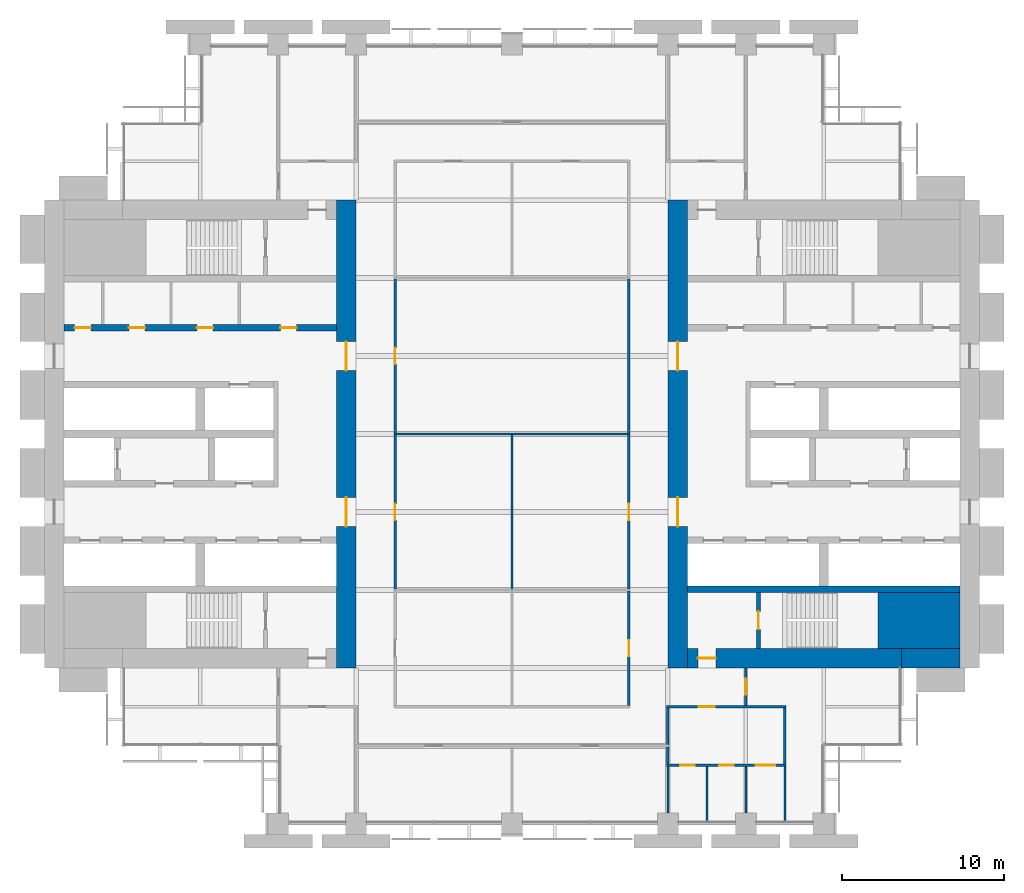
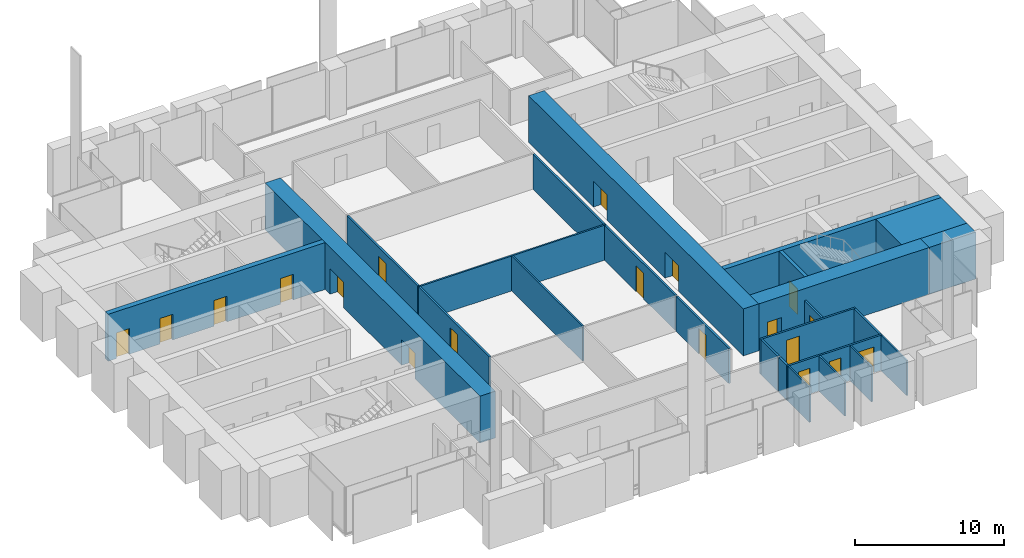
# One storey, part 10 of 14: 25 walls, 19 doors, 19 openings.
"""IFC4 building model written with IfcOpenShell, lengths in metres."""

from ifc_helpers import new_model, si_unit, direction, frame, frame_2d, origin, place, context, subcontext, project, spatial, rectangle, extrude, material, layer, layer_set, type_object, element, fill, save


model = new_model("IFC4")

# Units and contexts
model_context = context("Model", 3, precision=1e-05, world=origin(), true_north=direction((0.0, 1.0)))
body_context = subcontext(model_context, "Body", "Model", "MODEL_VIEW")
ifc_project = project(units=[si_unit("LENGTHUNIT", "METRE"), si_unit("AREAUNIT", "SQUARE_METRE"), si_unit("VOLUMEUNIT", "CUBIC_METRE"), si_unit("PLANEANGLEUNIT", "RADIAN"), si_unit("MASSUNIT", "GRAM", prefix="KILO")], contexts=[model_context])

# Site, building, storey
site_placement = place(None, origin())
site = spatial("IfcSite", under=ifc_project, at=site_placement, CompositionType="ELEMENT")
building_placement = place(site_placement, origin())
building = spatial("IfcBuilding", under=site, at=building_placement, Name="Baori Bourse Tower", CompositionType="ELEMENT")
storey_placement = place(building_placement, frame((0.0, 0.0, 39.0)))
storey = spatial("IfcBuildingStorey", under=building, at=storey_placement, Name="L07", CompositionType="ELEMENT", Elevation=39.0)

# Wall
ifc_material_1 = material(Name="Concrete f'c 70 MPa", Category="concrete")
wall_type_1 = type_object("IfcWallType", Name="Core corner block f'c 70", PredefinedType="SHEAR", material=ifc_material_1)
wall_1_placement = place(storey_placement, frame((51.35009765625, 12.52490234375, 0.0), z_axis=(0.0, 0.0, 1.0), x_axis=(1.0, 0.0, 0.0)))
element("IfcWall", 1, at=wall_1_placement, inside=storey, type_object=wall_type_1, Name="Core wall E05", PredefinedType="SHEAR", context=body_context, shape_type="SweptSolid", body=[
    extrude(rectangle(XDim=5.0498046875, YDim=3.449951171875, at=frame_2d((2.52490234375, 0.0))), origin(), (0.0, 0.0, 1.0), 3.840087890625),
])

# Wall, openings, doors
ifc_material_2 = material(Name="Concrete f'c 70 MPa", Category="concrete")
ifc_layer_1 = layer(ifc_material_2, 1.199951171875)
ifc_layer_set_1 = layer_set([ifc_layer_1], Name="Core wall 1200 f'c 70")
wall_type_2 = type_object("IfcWallType", Name="Core wall 1200 f'c 70", PredefinedType="SHEAR", material=ifc_layer_set_1)
wall_2_placement = place(storey_placement, frame((18.60009765625, 38.39990234375, 0.0), z_axis=(0.0, 0.0, 1.0), x_axis=(0.0, -1.0, 0.0)))
wall_2 = element("IfcWall", 2, at=wall_2_placement, inside=storey, type_object=wall_type_2, Name="Core wall W04", PredefinedType="SHEAR", context=body_context, shape_type="SweptSolid", body=[
    extrude(rectangle(XDim=28.7998046875, YDim=1.199951171875, at=frame_2d((14.39990234375, 0.0))), origin(), (0.0, 0.0, 1.0), 3.840087890625),
])
opening_1_placement = place(wall_2_placement, frame((18.300048828125, 0.0, 0.0)))
opening_1 = element("IfcOpeningElement", 3, at=opening_1_placement, cuts=wall_2, Name="Opening L07-D107", PredefinedType="OPENING", context=body_context, shape_type="SweptSolid", body=[
    extrude(rectangle(XDim=1.800048828125, YDim=2.10009765625, at=frame_2d((0.89990234375, 1.050048828125))), frame((0.0, 0.60986328125, 0.0), z_axis=(0.0, -1.0, 0.0), x_axis=(1.0, 0.0, 0.0)), (0.0, 0.0, 1.0), 1.219970703125),
])
opening_2_placement = place(wall_2_placement, frame((8.699951171875, 0.0, 0.0)))
opening_2 = element("IfcOpeningElement", 4, at=opening_2_placement, cuts=wall_2, Name="Opening L07-D108", PredefinedType="OPENING", context=body_context, shape_type="SweptSolid", body=[
    extrude(rectangle(XDim=1.800048828125, YDim=2.10009765625, at=frame_2d((0.89990234375, 1.050048828125))), frame((0.0, 0.60986328125, 0.0), z_axis=(0.0, -1.0, 0.0), x_axis=(1.0, 0.0, 0.0)), (0.0, 0.0, 1.0), 1.219970703125),
])
ifc_material_3 = material(Name="Painted steel door", Category="steel")
door_type_1 = type_object("IfcDoorType", Name="Core lobby door 1800", OperationType="DOUBLE_DOOR_SINGLE_SWING", PredefinedType="DOOR", material=ifc_material_3)
door_1_placement = place(opening_1_placement, origin())
door_1 = element("IfcDoor", 5, at=door_1_placement, inside=storey, type_object=door_type_1, Name="Lobby door W L07", OperationType="DOUBLE_DOOR_SINGLE_SWING", OverallHeight=2.10009765625, OverallWidth=1.800048828125, PredefinedType="DOOR", context=body_context, shape_type="SweptSolid", body=[
    extrude(rectangle(XDim=1.800048828125, YDim=2.10009765625, at=frame_2d((0.89990234375, 1.050048828125))), frame((0.0, 0.02490234375, 0.0), z_axis=(0.0, -1.0, 0.0), x_axis=(1.0, 0.0, 0.0)), (0.0, 0.0, 1.0), 0.050048828125),
])
fill(opening_1, door_1)
door_2_placement = place(opening_2_placement, origin())
door_2 = element("IfcDoor", 6, at=door_2_placement, inside=storey, type_object=door_type_1, Name="Lobby door W L07", OperationType="DOUBLE_DOOR_SINGLE_SWING", OverallHeight=2.10009765625, OverallWidth=1.800048828125, PredefinedType="DOOR", context=body_context, shape_type="SweptSolid", body=[
    extrude(rectangle(XDim=1.800048828125, YDim=2.10009765625, at=frame_2d((0.89990234375, 1.050048828125))), frame((0.0, 0.02490234375, 0.0), z_axis=(0.0, -1.0, 0.0), x_axis=(1.0, 0.0, 0.0)), (0.0, 0.0, 1.0), 0.050048828125),
])
fill(opening_2, door_2)

# Wall
wall_3_placement = place(storey_placement, frame((56.39990234375, 10.199951171875, 0.0), z_axis=(0.0, 0.0, 1.0), x_axis=(-1.0, 0.0, 0.0)))
element("IfcWall", 7, at=wall_3_placement, inside=storey, type_object=wall_type_2, Name="Core wall E02", PredefinedType="SHEAR", context=body_context, shape_type="SweptSolid", body=[
    extrude(rectangle(XDim=3.599853515625, YDim=1.199951171875, at=frame_2d((1.7998046875, 0.0))), origin(), (0.0, 0.0, 1.0), 3.840087890625),
])

# Wall, opening, door
wall_4_placement = place(storey_placement, frame((52.800048828125, 10.199951171875, 0.0), z_axis=(0.0, 0.0, 1.0), x_axis=(-1.0, 0.0, 0.0)))
wall_4 = element("IfcWall", 8, at=wall_4_placement, inside=storey, type_object=wall_type_2, Name="Core wall E03", PredefinedType="SHEAR", context=body_context, shape_type="SweptSolid", body=[
    extrude(rectangle(XDim=13.199951171875, YDim=1.199951171875, at=frame_2d((6.60009765625, 0.0))), origin(), (0.0, 0.0, 1.0), 3.840087890625),
])
opening_3_placement = place(wall_4_placement, frame((11.449951171875, 0.0, 0.0)))
opening_3 = element("IfcOpeningElement", 9, at=opening_3_placement, cuts=wall_4, Name="Opening L07-D202", PredefinedType="OPENING", context=body_context, shape_type="SweptSolid", body=[
    extrude(rectangle(XDim=1.10009765625, YDim=2.10009765625, at=frame_2d((0.550048828125, 1.050048828125))), frame((0.0, 0.60986328125, 0.0), z_axis=(0.0, -1.0, 0.0), x_axis=(1.0, 0.0, 0.0)), (0.0, 0.0, 1.0), 1.219970703125),
])
ifc_material_4 = material(Name="Painted steel door", Category="steel")
door_type_2 = type_object("IfcDoorType", Name="Stair door 1100", OperationType="SINGLE_SWING_LEFT", PredefinedType="DOOR", material=ifc_material_4)
door_3_placement = place(opening_3_placement, origin())
door_3 = element("IfcDoor", 10, at=door_3_placement, inside=storey, type_object=door_type_2, Name="Stair vestibule door A E L07", OperationType="SINGLE_SWING_LEFT", OverallHeight=2.10009765625, OverallWidth=1.10009765625, PredefinedType="DOOR", context=body_context, shape_type="SweptSolid", body=[
    extrude(rectangle(XDim=1.10009765625, YDim=2.10009765625, at=frame_2d((0.550048828125, 1.050048828125))), frame((0.0, 0.02490234375, 0.0), z_axis=(0.0, -1.0, 0.0), x_axis=(1.0, 0.0, 0.0)), (0.0, 0.0, 1.0), 0.050048828125),
])
fill(opening_3, door_3)

# Wall, openings, doors
wall_5_placement = place(storey_placement, frame((39.0, 9.60009765625, 0.0), z_axis=(0.0, 0.0, 1.0), x_axis=(0.0, 1.0, 0.0)))
wall_5 = element("IfcWall", 11, at=wall_5_placement, inside=storey, type_object=wall_type_2, Name="Core wall E04", PredefinedType="SHEAR", context=body_context, shape_type="SweptSolid", body=[
    extrude(rectangle(XDim=28.7998046875, YDim=1.199951171875, at=frame_2d((14.39990234375, 0.0))), origin(), (0.0, 0.0, 1.0), 3.840087890625),
])
opening_4_placement = place(wall_5_placement, frame((8.699951171875, 0.0, 0.0)))
opening_4 = element("IfcOpeningElement", 12, at=opening_4_placement, cuts=wall_5, Name="Opening L07-D207", PredefinedType="OPENING", context=body_context, shape_type="SweptSolid", body=[
    extrude(rectangle(XDim=1.800048828125, YDim=2.10009765625, at=frame_2d((0.89990234375, 1.050048828125))), frame((0.0, 0.60986328125, 0.0), z_axis=(0.0, -1.0, 0.0), x_axis=(1.0, 0.0, 0.0)), (0.0, 0.0, 1.0), 1.219970703125),
])
opening_5_placement = place(wall_5_placement, frame((18.300048828125, 0.0, 0.0)))
opening_5 = element("IfcOpeningElement", 13, at=opening_5_placement, cuts=wall_5, Name="Opening L07-D208", PredefinedType="OPENING", context=body_context, shape_type="SweptSolid", body=[
    extrude(rectangle(XDim=1.800048828125, YDim=2.10009765625, at=frame_2d((0.89990234375, 1.050048828125))), frame((0.0, 0.60986328125, 0.0), z_axis=(0.0, -1.0, 0.0), x_axis=(1.0, 0.0, 0.0)), (0.0, 0.0, 1.0), 1.219970703125),
])
door_4_placement = place(opening_4_placement, origin())
door_4 = element("IfcDoor", 14, at=door_4_placement, inside=storey, type_object=door_type_1, Name="Lobby door E L07", OperationType="DOUBLE_DOOR_SINGLE_SWING", OverallHeight=2.10009765625, OverallWidth=1.800048828125, PredefinedType="DOOR", context=body_context, shape_type="SweptSolid", body=[
    extrude(rectangle(XDim=1.800048828125, YDim=2.10009765625, at=frame_2d((0.89990234375, 1.050048828125))), frame((0.0, 0.02490234375, 0.0), z_axis=(0.0, -1.0, 0.0), x_axis=(1.0, 0.0, 0.0)), (0.0, 0.0, 1.0), 0.050048828125),
])
fill(opening_4, door_4)
door_5_placement = place(opening_5_placement, origin())
door_5 = element("IfcDoor", 15, at=door_5_placement, inside=storey, type_object=door_type_1, Name="Lobby door E L07", OperationType="DOUBLE_DOOR_SINGLE_SWING", OverallHeight=2.10009765625, OverallWidth=1.800048828125, PredefinedType="DOOR", context=body_context, shape_type="SweptSolid", body=[
    extrude(rectangle(XDim=1.800048828125, YDim=2.10009765625, at=frame_2d((0.89990234375, 1.050048828125))), frame((0.0, 0.02490234375, 0.0), z_axis=(0.0, -1.0, 0.0), x_axis=(1.0, 0.0, 0.0)), (0.0, 0.0, 1.0), 0.050048828125),
])
fill(opening_5, door_5)

ifc_material_5 = material(Name="Gypsum board partition")
ifc_layer_2 = layer(ifc_material_5, 0.14990234375)
ifc_layer_set_2 = layer_set([ifc_layer_2], Name="Corridor partition 150")
wall_type_3 = type_object("IfcWallType", Name="Corridor partition 150", PredefinedType="PARTITIONING", material=ifc_layer_set_2)
wall_6_placement = place(storey_placement, frame((38.324951171875, 3.60009765625, 0.0), z_axis=(0.0, 0.0, 1.0), x_axis=(1.0, 0.0, 0.0)))
wall_6 = element("IfcWall", 16, at=wall_6_placement, inside=storey, type_object=wall_type_3, Name="Partition", PredefinedType="PARTITIONING", context=body_context, shape_type="SweptSolid", body=[
    extrude(rectangle(XDim=7.35009765625, YDim=0.14990234375, at=frame_2d((3.675048828125, 0.0))), origin(), (0.0, 0.0, 1.0), 2.86962890625),
])
opening_6_placement = place(wall_6_placement, frame((0.824951171875, 0.0, 0.0)))
opening_6 = element("IfcOpeningElement", 17, at=opening_6_placement, cuts=wall_6, Name="Opening L07-D01", PredefinedType="OPENING", context=body_context, shape_type="SweptSolid", body=[
    extrude(rectangle(XDim=0.89990234375, YDim=2.10009765625, at=frame_2d((0.449951171875, 1.050048828125))), frame((0.0, 0.0849609375, 0.0), z_axis=(0.0, -1.0, 0.0), x_axis=(1.0, 0.0, 0.0)), (0.0, 0.0, 1.0), 0.169921875),
])
opening_7_placement = place(wall_6_placement, frame((3.22509765625, 0.0, 0.0)))
opening_7 = element("IfcOpeningElement", 18, at=opening_7_placement, cuts=wall_6, Name="Opening L07-D02", PredefinedType="OPENING", context=body_context, shape_type="SweptSolid", body=[
    extrude(rectangle(XDim=0.89990234375, YDim=2.10009765625, at=frame_2d((0.449951171875, 1.050048828125))), frame((0.0, 0.0849609375, 0.0), z_axis=(0.0, -1.0, 0.0), x_axis=(1.0, 0.0, 0.0)), (0.0, 0.0, 1.0), 0.169921875),
])
opening_8_placement = place(wall_6_placement, frame((5.47509765625, 0.0, 0.0)))
opening_8 = element("IfcOpeningElement", 19, at=opening_8_placement, cuts=wall_6, Name="Opening L07-D03", PredefinedType="OPENING", context=body_context, shape_type="SweptSolid", body=[
    extrude(rectangle(XDim=1.199951171875, YDim=2.10009765625, at=frame_2d((0.60009765625, 1.050048828125))), frame((0.0, 0.0849609375, 0.0), z_axis=(0.0, -1.0, 0.0), x_axis=(1.0, 0.0, 0.0)), (0.0, 0.0, 1.0), 0.169921875),
])
ifc_material_6 = material(Name="Timber door leaf", Category="wood")
door_type_3 = type_object("IfcDoorType", Name="Door 1200 x 2100", OperationType="SINGLE_SWING_LEFT", PredefinedType="DOOR", material=ifc_material_6)
door_6_placement = place(opening_8_placement, origin())
door_6 = element("IfcDoor", 20, at=door_6_placement, inside=storey, type_object=door_type_3, Name="Door", OperationType="SINGLE_SWING_RIGHT", OverallHeight=2.10009765625, OverallWidth=1.199951171875, PredefinedType="DOOR", context=body_context, shape_type="SweptSolid", body=[
    extrude(rectangle(XDim=1.199951171875, YDim=2.10009765625, at=frame_2d((0.60009765625, 1.050048828125))), frame((0.0, 0.02490234375, 0.0), z_axis=(0.0, -1.0, 0.0), x_axis=(1.0, 0.0, 0.0)), (0.0, 0.0, 1.0), 0.050048828125),
])
fill(opening_8, door_6)
ifc_material_7 = material(Name="Timber door leaf", Category="wood")
door_type_4 = type_object("IfcDoorType", Name="Door 900 x 2100", OperationType="SINGLE_SWING_LEFT", PredefinedType="DOOR", material=ifc_material_7)
door_7_placement = place(opening_6_placement, origin())
door_7 = element("IfcDoor", 21, at=door_7_placement, inside=storey, type_object=door_type_4, Name="Door", OperationType="SINGLE_SWING_LEFT", OverallHeight=2.10009765625, OverallWidth=0.89990234375, PredefinedType="DOOR", context=body_context, shape_type="SweptSolid", body=[
    extrude(rectangle(XDim=0.89990234375, YDim=2.10009765625, at=frame_2d((0.449951171875, 1.050048828125))), frame((0.0, 0.02490234375, 0.0), z_axis=(0.0, -1.0, 0.0), x_axis=(1.0, 0.0, 0.0)), (0.0, 0.0, 1.0), 0.050048828125),
])
fill(opening_6, door_7)
door_8_placement = place(opening_7_placement, origin())
door_8 = element("IfcDoor", 22, at=door_8_placement, inside=storey, type_object=door_type_4, Name="Door", OperationType="SINGLE_SWING_LEFT", OverallHeight=2.10009765625, OverallWidth=0.89990234375, PredefinedType="DOOR", context=body_context, shape_type="SweptSolid", body=[
    extrude(rectangle(XDim=0.89990234375, YDim=2.10009765625, at=frame_2d((0.449951171875, 1.050048828125))), frame((0.0, 0.02490234375, 0.0), z_axis=(0.0, -1.0, 0.0), x_axis=(1.0, 0.0, 0.0)), (0.0, 0.0, 1.0), 0.050048828125),
])
fill(opening_7, door_8)

# Wall, opening, door
wall_7_placement = place(storey_placement, frame((38.324951171875, 7.199951171875, 0.0), z_axis=(0.0, 0.0, 1.0), x_axis=(1.0, 0.0, 0.0)))
wall_7 = element("IfcWall", 23, at=wall_7_placement, inside=storey, type_object=wall_type_3, Name="Partition", PredefinedType="PARTITIONING", context=body_context, shape_type="SweptSolid", body=[
    extrude(rectangle(XDim=7.35009765625, YDim=0.14990234375, at=frame_2d((3.675048828125, 0.0))), origin(), (0.0, 0.0, 1.0), 2.86962890625),
])
opening_9_placement = place(wall_7_placement, frame((1.97509765625, 0.0, 0.0)))
opening_9 = element("IfcOpeningElement", 24, at=opening_9_placement, cuts=wall_7, Name="Opening L07-D07", PredefinedType="OPENING", context=body_context, shape_type="SweptSolid", body=[
    extrude(rectangle(XDim=1.0, YDim=2.10009765625, at=frame_2d((0.5, 1.050048828125))), frame((0.0, 0.0849609375, 0.0), z_axis=(0.0, -1.0, 0.0), x_axis=(1.0, 0.0, 0.0)), (0.0, 0.0, 1.0), 0.169921875),
])
ifc_material_8 = material(Name="Timber door leaf", Category="wood")
door_type_5 = type_object("IfcDoorType", Name="Door 1000 x 2100", OperationType="SINGLE_SWING_LEFT", PredefinedType="DOOR", material=ifc_material_8)
door_9_placement = place(opening_9_placement, origin())
door_9 = element("IfcDoor", 25, at=door_9_placement, inside=storey, type_object=door_type_5, Name="Door", OperationType="SINGLE_SWING_RIGHT", OverallHeight=2.10009765625, OverallWidth=1.0, PredefinedType="DOOR", context=body_context, shape_type="SweptSolid", body=[
    extrude(rectangle(XDim=1.0, YDim=2.10009765625, at=frame_2d((0.5, 1.050048828125))), frame((0.0, 0.02490234375, 0.0), z_axis=(0.0, -1.0, 0.0), x_axis=(1.0, 0.0, 0.0)), (0.0, 0.0, 1.0), 0.050048828125),
])
fill(opening_9, door_9)

wall_8_placement = place(storey_placement, frame((21.60009765625, 14.46240234375, 0.0), z_axis=(0.0, 0.0, 1.0), x_axis=(0.0, 1.0, 0.0)))
wall_8 = element("IfcWall", 26, at=wall_8_placement, inside=storey, type_object=wall_type_3, Name="Partition", PredefinedType="PARTITIONING", context=body_context, shape_type="SweptSolid", body=[
    extrude(rectangle(XDim=9.47509765625, YDim=0.14990234375, at=frame_2d((4.737548828125, 0.0))), origin(), (0.0, 0.0, 1.0), 2.86962890625),
])
opening_10_placement = place(wall_8_placement, frame((4.237548828125, 0.0, 0.0)))
opening_10 = element("IfcOpeningElement", 27, at=opening_10_placement, cuts=wall_8, Name="Opening L07-D16", PredefinedType="OPENING", context=body_context, shape_type="SweptSolid", body=[
    extrude(rectangle(XDim=1.0, YDim=2.10009765625, at=frame_2d((0.5, 1.050048828125))), frame((0.0, 0.0849609375, 0.0), z_axis=(0.0, -1.0, 0.0), x_axis=(1.0, 0.0, 0.0)), (0.0, 0.0, 1.0), 0.169921875),
])
door_10_placement = place(opening_10_placement, origin())
door_10 = element("IfcDoor", 28, at=door_10_placement, inside=storey, type_object=door_type_5, Name="Door", OperationType="SINGLE_SWING_LEFT", OverallHeight=2.10009765625, OverallWidth=1.0, PredefinedType="DOOR", context=body_context, shape_type="SweptSolid", body=[
    extrude(rectangle(XDim=1.0, YDim=2.10009765625, at=frame_2d((0.5, 1.050048828125))), frame((0.0, 0.02490234375, 0.0), z_axis=(0.0, -1.0, 0.0), x_axis=(1.0, 0.0, 0.0)), (0.0, 0.0, 1.0), 0.050048828125),
])
fill(opening_10, door_10)

wall_9_placement = place(storey_placement, frame((21.60009765625, 24.0625, 0.0), z_axis=(0.0, 0.0, 1.0), x_axis=(0.0, 1.0, 0.0)))
wall_9 = element("IfcWall", 29, at=wall_9_placement, inside=storey, type_object=wall_type_3, Name="Partition", PredefinedType="PARTITIONING", context=body_context, shape_type="SweptSolid", body=[
    extrude(rectangle(XDim=9.47509765625, YDim=0.14990234375, at=frame_2d((4.737548828125, 0.0))), origin(), (0.0, 0.0, 1.0), 2.86962890625),
])
opening_11_placement = place(wall_9_placement, frame((4.237548828125, 0.0, 0.0)))
opening_11 = element("IfcOpeningElement", 30, at=opening_11_placement, cuts=wall_9, Name="Opening L07-D17", PredefinedType="OPENING", context=body_context, shape_type="SweptSolid", body=[
    extrude(rectangle(XDim=1.0, YDim=2.10009765625, at=frame_2d((0.5, 1.050048828125))), frame((0.0, 0.0849609375, 0.0), z_axis=(0.0, -1.0, 0.0), x_axis=(1.0, 0.0, 0.0)), (0.0, 0.0, 1.0), 0.169921875),
])
door_11_placement = place(opening_11_placement, origin())
door_11 = element("IfcDoor", 31, at=door_11_placement, inside=storey, type_object=door_type_5, Name="Door", OperationType="SINGLE_SWING_LEFT", OverallHeight=2.10009765625, OverallWidth=1.0, PredefinedType="DOOR", context=body_context, shape_type="SweptSolid", body=[
    extrude(rectangle(XDim=1.0, YDim=2.10009765625, at=frame_2d((0.5, 1.050048828125))), frame((0.0, 0.02490234375, 0.0), z_axis=(0.0, -1.0, 0.0), x_axis=(1.0, 0.0, 0.0)), (0.0, 0.0, 1.0), 0.050048828125),
])
fill(opening_11, door_11)

wall_10_placement = place(storey_placement, frame((36.0, 7.27490234375, 0.0), z_axis=(0.0, 0.0, 1.0), x_axis=(0.0, 1.0, 0.0)))
wall_10 = element("IfcWall", 32, at=wall_10_placement, inside=storey, type_object=wall_type_3, Name="Partition", PredefinedType="PARTITIONING", context=body_context, shape_type="SweptSolid", body=[
    extrude(rectangle(XDim=7.0625, YDim=0.14990234375, at=frame_2d((3.53125, 0.0))), origin(), (0.0, 0.0, 1.0), 2.86962890625),
])
opening_12_placement = place(wall_10_placement, frame((3.03125, 0.0, 0.0)))
opening_12 = element("IfcOpeningElement", 33, at=opening_12_placement, cuts=wall_10, Name="Opening L07-D18", PredefinedType="OPENING", context=body_context, shape_type="SweptSolid", body=[
    extrude(rectangle(XDim=1.0, YDim=2.10009765625, at=frame_2d((0.5, 1.050048828125))), frame((0.0, 0.0849609375, 0.0), z_axis=(0.0, -1.0, 0.0), x_axis=(1.0, 0.0, 0.0)), (0.0, 0.0, 1.0), 0.169921875),
])
door_12_placement = place(opening_12_placement, origin())
door_12 = element("IfcDoor", 34, at=door_12_placement, inside=storey, type_object=door_type_5, Name="Door", OperationType="SINGLE_SWING_RIGHT", OverallHeight=2.10009765625, OverallWidth=1.0, PredefinedType="DOOR", context=body_context, shape_type="SweptSolid", body=[
    extrude(rectangle(XDim=1.0, YDim=2.10009765625, at=frame_2d((0.5, 1.050048828125))), frame((0.0, 0.02490234375, 0.0), z_axis=(0.0, -1.0, 0.0), x_axis=(1.0, 0.0, 0.0)), (0.0, 0.0, 1.0), 0.050048828125),
])
fill(opening_12, door_12)

wall_11_placement = place(storey_placement, frame((36.0, 14.46240234375, 0.0), z_axis=(0.0, 0.0, 1.0), x_axis=(0.0, 1.0, 0.0)))
wall_11 = element("IfcWall", 35, at=wall_11_placement, inside=storey, type_object=wall_type_3, Name="Partition", PredefinedType="PARTITIONING", context=body_context, shape_type="SweptSolid", body=[
    extrude(rectangle(XDim=9.47509765625, YDim=0.14990234375, at=frame_2d((4.737548828125, 0.0))), origin(), (0.0, 0.0, 1.0), 2.86962890625),
])
opening_13_placement = place(wall_11_placement, frame((4.237548828125, 0.0, 0.0)))
opening_13 = element("IfcOpeningElement", 36, at=opening_13_placement, cuts=wall_11, Name="Opening L07-D19", PredefinedType="OPENING", context=body_context, shape_type="SweptSolid", body=[
    extrude(rectangle(XDim=1.0, YDim=2.10009765625, at=frame_2d((0.5, 1.050048828125))), frame((0.0, 0.0849609375, 0.0), z_axis=(0.0, -1.0, 0.0), x_axis=(1.0, 0.0, 0.0)), (0.0, 0.0, 1.0), 0.169921875),
])
door_13_placement = place(opening_13_placement, origin())
door_13 = element("IfcDoor", 37, at=door_13_placement, inside=storey, type_object=door_type_5, Name="Door", OperationType="SINGLE_SWING_RIGHT", OverallHeight=2.10009765625, OverallWidth=1.0, PredefinedType="DOOR", context=body_context, shape_type="SweptSolid", body=[
    extrude(rectangle(XDim=1.0, YDim=2.10009765625, at=frame_2d((0.5, 1.050048828125))), frame((0.0, 0.02490234375, 0.0), z_axis=(0.0, -1.0, 0.0), x_axis=(1.0, 0.0, 0.0)), (0.0, 0.0, 1.0), 0.050048828125),
])
fill(opening_13, door_13)

# Walls
wall_12_placement = place(storey_placement, frame((36.0, 24.0625, 0.0), z_axis=(0.0, 0.0, 1.0), x_axis=(0.0, 1.0, 0.0)))
element("IfcWall", 38, at=wall_12_placement, inside=storey, type_object=wall_type_3, Name="Partition", PredefinedType="PARTITIONING", context=body_context, shape_type="SweptSolid", body=[
    extrude(rectangle(XDim=9.47509765625, YDim=0.14990234375, at=frame_2d((4.737548828125, 0.0))), origin(), (0.0, 0.0, 1.0), 2.86962890625),
])
wall_13_placement = place(storey_placement, frame((38.39990234375, 3.675048828125, 0.0), z_axis=(0.0, 0.0, 1.0), x_axis=(0.0, 1.0, 0.0)))
element("IfcWall", 39, at=wall_13_placement, inside=storey, type_object=wall_type_3, Name="Partition", PredefinedType="PARTITIONING", context=body_context, shape_type="SweptSolid", body=[
    extrude(rectangle(XDim=1.050048828125, YDim=0.14990234375, at=frame_2d((0.52490234375, 0.0))), origin(), (0.0, 0.0, 1.0), 2.86962890625),
])
wall_14_placement = place(storey_placement, frame((38.39990234375, 4.875, 0.0), z_axis=(0.0, 0.0, 1.0), x_axis=(0.0, 1.0, 0.0)))
element("IfcWall", 40, at=wall_14_placement, inside=storey, type_object=wall_type_3, Name="Partition", PredefinedType="PARTITIONING", context=body_context, shape_type="SweptSolid", body=[
    extrude(rectangle(XDim=2.25, YDim=0.14990234375, at=frame_2d((1.125, 0.0))), origin(), (0.0, 0.0, 1.0), 2.86962890625),
])

# Wall, opening, door
wall_15_placement = place(storey_placement, frame((43.199951171875, 7.27490234375, 0.0), z_axis=(0.0, 0.0, 1.0), x_axis=(0.0, 1.0, 0.0)))
wall_15 = element("IfcWall", 41, at=wall_15_placement, inside=storey, type_object=wall_type_3, Name="Partition", PredefinedType="PARTITIONING", context=body_context, shape_type="SweptSolid", body=[
    extrude(rectangle(XDim=2.3251953125, YDim=0.14990234375, at=frame_2d((1.16259765625, 0.0))), origin(), (0.0, 0.0, 1.0), 2.86962890625),
])
opening_14_placement = place(wall_15_placement, frame((0.66259765625, 0.0, 0.0)))
opening_14 = element("IfcOpeningElement", 42, at=opening_14_placement, cuts=wall_15, Name="Opening L07-D20", PredefinedType="OPENING", context=body_context, shape_type="SweptSolid", body=[
    extrude(rectangle(XDim=1.0, YDim=2.10009765625, at=frame_2d((0.5, 1.050048828125))), frame((0.0, 0.0849609375, 0.0), z_axis=(0.0, -1.0, 0.0), x_axis=(1.0, 0.0, 0.0)), (0.0, 0.0, 1.0), 0.169921875),
])
door_14_placement = place(opening_14_placement, origin())
door_14 = element("IfcDoor", 43, at=door_14_placement, inside=storey, type_object=door_type_5, Name="Door", OperationType="SINGLE_SWING_LEFT", OverallHeight=2.10009765625, OverallWidth=1.0, PredefinedType="DOOR", context=body_context, shape_type="SweptSolid", body=[
    extrude(rectangle(XDim=1.0, YDim=2.10009765625, at=frame_2d((0.5, 1.050048828125))), frame((0.0, 0.02490234375, 0.0), z_axis=(0.0, -1.0, 0.0), x_axis=(1.0, 0.0, 0.0)), (0.0, 0.0, 1.0), 0.050048828125),
])
fill(opening_14, door_14)

# Walls
wall_16_placement = place(storey_placement, frame((45.60009765625, 3.675048828125, 0.0), z_axis=(0.0, 0.0, 1.0), x_axis=(0.0, 1.0, 0.0)))
element("IfcWall", 44, at=wall_16_placement, inside=storey, type_object=wall_type_3, Name="Partition", PredefinedType="PARTITIONING", context=body_context, shape_type="SweptSolid", body=[
    extrude(rectangle(XDim=3.449951171875, YDim=0.14990234375, at=frame_2d((1.72509765625, 0.0))), origin(), (0.0, 0.0, 1.0), 2.86962890625),
])
ifc_material_9 = material(Name="Gypsum board partition")
ifc_layer_3 = layer(ifc_material_9, 0.125)
ifc_layer_set_3 = layer_set([ifc_layer_3], Name="Partition 125")
wall_type_4 = type_object("IfcWallType", Name="Partition 125", PredefinedType="PARTITIONING", material=ifc_layer_set_3)
wall_17_placement = place(storey_placement, frame((21.52490234375, 24.0, 0.0), z_axis=(0.0, 0.0, 1.0), x_axis=(1.0, 0.0, 0.0)))
element("IfcWall", 45, at=wall_17_placement, inside=storey, type_object=wall_type_4, Name="Partition", PredefinedType="PARTITIONING", context=body_context, shape_type="SweptSolid", body=[
    extrude(rectangle(XDim=14.550048828125, YDim=0.125, at=frame_2d((7.27490234375, 0.0))), origin(), (0.0, 0.0, 1.0), 2.86962890625),
])
wall_18_placement = place(storey_placement, frame((28.800048828125, 14.46240234375, 0.0), z_axis=(0.0, 0.0, 1.0), x_axis=(0.0, 1.0, 0.0)))
element("IfcWall", 46, at=wall_18_placement, inside=storey, type_object=wall_type_4, Name="Partition", PredefinedType="PARTITIONING", context=body_context, shape_type="SweptSolid", body=[
    extrude(rectangle(XDim=9.47509765625, YDim=0.125, at=frame_2d((4.737548828125, 0.0))), origin(), (0.0, 0.0, 1.0), 2.86962890625),
])
wall_19_placement = place(storey_placement, frame((38.39990234375, 0.64990234375, 0.0), z_axis=(0.0, 0.0, 1.0), x_axis=(0.0, 1.0, 0.0)))
element("IfcWall", 47, at=wall_19_placement, inside=storey, type_object=wall_type_4, Name="Partition", PredefinedType="PARTITIONING", context=body_context, shape_type="SweptSolid", body=[
    extrude(rectangle(XDim=2.875, YDim=0.125, at=frame_2d((1.4375, 0.0))), origin(), (0.0, 0.0, 1.0), 2.86962890625),
])
wall_20_placement = place(storey_placement, frame((40.800048828125, 0.10009765625, 0.0), z_axis=(0.0, 0.0, 1.0), x_axis=(0.0, 1.0, 0.0)))
element("IfcWall", 48, at=wall_20_placement, inside=storey, type_object=wall_type_4, Name="Partition", PredefinedType="PARTITIONING", context=body_context, shape_type="SweptSolid", body=[
    extrude(rectangle(XDim=3.4248046875, YDim=0.125, at=frame_2d((1.71240234375, 0.0))), origin(), (0.0, 0.0, 1.0), 2.86962890625),
])
wall_21_placement = place(storey_placement, frame((43.199951171875, 0.64990234375, 0.0), z_axis=(0.0, 0.0, 1.0), x_axis=(0.0, 1.0, 0.0)))
element("IfcWall", 49, at=wall_21_placement, inside=storey, type_object=wall_type_4, Name="Partition", PredefinedType="PARTITIONING", context=body_context, shape_type="SweptSolid", body=[
    extrude(rectangle(XDim=2.875, YDim=0.125, at=frame_2d((1.4375, 0.0))), origin(), (0.0, 0.0, 1.0), 2.86962890625),
])
wall_22_placement = place(storey_placement, frame((45.60009765625, 0.10009765625, 0.0), z_axis=(0.0, 0.0, 1.0), x_axis=(0.0, 1.0, 0.0)))
element("IfcWall", 50, at=wall_22_placement, inside=storey, type_object=wall_type_4, Name="Partition", PredefinedType="PARTITIONING", context=body_context, shape_type="SweptSolid", body=[
    extrude(rectangle(XDim=3.4248046875, YDim=0.125, at=frame_2d((1.71240234375, 0.0))), origin(), (0.0, 0.0, 1.0), 2.86962890625),
])

# Wall, opening, door
ifc_material_10 = material(Name="Concrete f'c 70 MPa", Category="concrete")
ifc_layer_4 = layer(ifc_material_10, 0.25)
ifc_layer_set_4 = layer_set([ifc_layer_4], Name="Shaft wall 250 f'c 70")
wall_type_5 = type_object("IfcWallType", Name="Shaft wall 250 f'c 70", PredefinedType="SHEAR", material=ifc_layer_set_4)
wall_23_placement = place(storey_placement, frame((43.97509765625, 10.800048828125, 0.0), z_axis=(0.0, 0.0, 1.0), x_axis=(0.0, 1.0, 0.0)))
wall_23 = element("IfcWall", 51, at=wall_23_placement, inside=storey, type_object=wall_type_5, Name="Core wall E06", PredefinedType="SHEAR", context=body_context, shape_type="SweptSolid", body=[
    extrude(rectangle(XDim=3.449951171875, YDim=0.25, at=frame_2d((1.72509765625, 0.0))), origin(), (0.0, 0.0, 1.0), 3.840087890625),
])
opening_15_placement = place(wall_23_placement, frame((1.175048828125, 0.0, 0.0)))
opening_15 = element("IfcOpeningElement", 52, at=opening_15_placement, cuts=wall_23, Name="Opening L07-D201", PredefinedType="OPENING", context=body_context, shape_type="SweptSolid", body=[
    extrude(rectangle(XDim=1.10009765625, YDim=2.10009765625, at=frame_2d((0.550048828125, 1.050048828125))), frame((0.0, 0.135009765625, 0.0), z_axis=(0.0, -1.0, 0.0), x_axis=(1.0, 0.0, 0.0)), (0.0, 0.0, 1.0), 0.27001953125),
])
door_15_placement = place(opening_15_placement, origin())
door_15 = element("IfcDoor", 53, at=door_15_placement, inside=storey, type_object=door_type_2, Name="Stair door A E L07", OperationType="SINGLE_SWING_LEFT", OverallHeight=2.10009765625, OverallWidth=1.10009765625, PredefinedType="DOOR", context=body_context, shape_type="SweptSolid", body=[
    extrude(rectangle(XDim=1.10009765625, YDim=2.10009765625, at=frame_2d((0.550048828125, 1.050048828125))), frame((0.0, 0.02490234375, 0.0), z_axis=(0.0, -1.0, 0.0), x_axis=(1.0, 0.0, 0.0)), (0.0, 0.0, 1.0), 0.050048828125),
])
fill(opening_15, door_15)

# Wall, openings, doors
ifc_material_11 = material(Name="Concrete f'c 70 MPa", Category="concrete")
ifc_layer_5 = layer(ifc_material_11, 0.39990234375)
ifc_layer_set_5 = layer_set([ifc_layer_5], Name="Shaft wall 400 f'c 70")
wall_type_6 = type_object("IfcWallType", Name="Shaft wall 400 f'c 70", PredefinedType="SHEAR", material=ifc_layer_set_5)
wall_24_placement = place(storey_placement, frame((1.199951171875, 30.550048828125, 0.0), z_axis=(0.0, 0.0, 1.0), x_axis=(1.0, 0.0, 0.0)))
wall_24 = element("IfcWall", 54, at=wall_24_placement, inside=storey, type_object=wall_type_6, Name="Core wall W17", PredefinedType="SHEAR", context=body_context, shape_type="SweptSolid", body=[
    extrude(rectangle(XDim=16.800048828125, YDim=0.39990234375, at=frame_2d((8.39990234375, 0.0))), origin(), (0.0, 0.0, 1.0), 3.840087890625),
])
opening_16_placement = place(wall_24_placement, frame((0.66259765625, 0.0, 0.0)))
opening_16 = element("IfcOpeningElement", 55, at=opening_16_placement, cuts=wall_24, Name="Opening L07-D109", PredefinedType="OPENING", context=body_context, shape_type="SweptSolid", body=[
    extrude(rectangle(XDim=1.0, YDim=2.10009765625, at=frame_2d((0.5, 1.050048828125))), frame((0.0, 0.2099609375, 0.0), z_axis=(0.0, -1.0, 0.0), x_axis=(1.0, 0.0, 0.0)), (0.0, 0.0, 1.0), 0.419921875),
])
opening_17_placement = place(wall_24_placement, frame((4.0, 0.0, 0.0)))
opening_17 = element("IfcOpeningElement", 56, at=opening_17_placement, cuts=wall_24, Name="Opening L07-D110", PredefinedType="OPENING", context=body_context, shape_type="SweptSolid", body=[
    extrude(rectangle(XDim=1.0, YDim=2.10009765625, at=frame_2d((0.5, 1.050048828125))), frame((0.0, 0.2099609375, 0.0), z_axis=(0.0, -1.0, 0.0), x_axis=(1.0, 0.0, 0.0)), (0.0, 0.0, 1.0), 0.419921875),
])
opening_18_placement = place(wall_24_placement, frame((8.199951171875, 0.0, 0.0)))
opening_18 = element("IfcOpeningElement", 57, at=opening_18_placement, cuts=wall_24, Name="Opening L07-D111", PredefinedType="OPENING", context=body_context, shape_type="SweptSolid", body=[
    extrude(rectangle(XDim=1.0, YDim=2.10009765625, at=frame_2d((0.5, 1.050048828125))), frame((0.0, 0.2099609375, 0.0), z_axis=(0.0, -1.0, 0.0), x_axis=(1.0, 0.0, 0.0)), (0.0, 0.0, 1.0), 0.419921875),
])
opening_19_placement = place(wall_24_placement, frame((13.33740234375, 0.0, 0.0)))
opening_19 = element("IfcOpeningElement", 58, at=opening_19_placement, cuts=wall_24, Name="Opening L07-D112", PredefinedType="OPENING", context=body_context, shape_type="SweptSolid", body=[
    extrude(rectangle(XDim=1.0, YDim=2.10009765625, at=frame_2d((0.5, 1.050048828125))), frame((0.0, 0.2099609375, 0.0), z_axis=(0.0, -1.0, 0.0), x_axis=(1.0, 0.0, 0.0)), (0.0, 0.0, 1.0), 0.419921875),
])
ifc_material_12 = material(Name="Painted steel door", Category="steel")
door_type_6 = type_object("IfcDoorType", Name="Core door 1000", OperationType="SINGLE_SWING_LEFT", PredefinedType="DOOR", material=ifc_material_12)
door_16_placement = place(opening_16_placement, origin())
door_16 = element("IfcDoor", 59, at=door_16_placement, inside=storey, type_object=door_type_6, Name="Janitor'S Closet door W L07", OperationType="SINGLE_SWING_LEFT", OverallHeight=2.10009765625, OverallWidth=1.0, PredefinedType="DOOR", context=body_context, shape_type="SweptSolid", body=[
    extrude(rectangle(XDim=1.0, YDim=2.10009765625, at=frame_2d((0.5, 1.050048828125))), frame((0.0, 0.02490234375, 0.0), z_axis=(0.0, -1.0, 0.0), x_axis=(1.0, 0.0, 0.0)), (0.0, 0.0, 1.0), 0.050048828125),
])
fill(opening_16, door_16)
door_17_placement = place(opening_17_placement, origin())
door_17 = element("IfcDoor", 60, at=door_17_placement, inside=storey, type_object=door_type_6, Name="Women'S Wc door W L07", OperationType="SINGLE_SWING_LEFT", OverallHeight=2.10009765625, OverallWidth=1.0, PredefinedType="DOOR", context=body_context, shape_type="SweptSolid", body=[
    extrude(rectangle(XDim=1.0, YDim=2.10009765625, at=frame_2d((0.5, 1.050048828125))), frame((0.0, 0.02490234375, 0.0), z_axis=(0.0, -1.0, 0.0), x_axis=(1.0, 0.0, 0.0)), (0.0, 0.0, 1.0), 0.050048828125),
])
fill(opening_17, door_17)
door_18_placement = place(opening_18_placement, origin())
door_18 = element("IfcDoor", 61, at=door_18_placement, inside=storey, type_object=door_type_6, Name="Accessible Wc door W L07", OperationType="SINGLE_SWING_LEFT", OverallHeight=2.10009765625, OverallWidth=1.0, PredefinedType="DOOR", context=body_context, shape_type="SweptSolid", body=[
    extrude(rectangle(XDim=1.0, YDim=2.10009765625, at=frame_2d((0.5, 1.050048828125))), frame((0.0, 0.02490234375, 0.0), z_axis=(0.0, -1.0, 0.0), x_axis=(1.0, 0.0, 0.0)), (0.0, 0.0, 1.0), 0.050048828125),
])
fill(opening_18, door_18)
door_19_placement = place(opening_19_placement, origin())
door_19 = element("IfcDoor", 62, at=door_19_placement, inside=storey, type_object=door_type_6, Name="Men'S Wc door W L07", OperationType="SINGLE_SWING_LEFT", OverallHeight=2.10009765625, OverallWidth=1.0, PredefinedType="DOOR", context=body_context, shape_type="SweptSolid", body=[
    extrude(rectangle(XDim=1.0, YDim=2.10009765625, at=frame_2d((0.5, 1.050048828125))), frame((0.0, 0.02490234375, 0.0), z_axis=(0.0, -1.0, 0.0), x_axis=(1.0, 0.0, 0.0)), (0.0, 0.0, 1.0), 0.050048828125),
])
fill(opening_19, door_19)

# Wall
wall_25_placement = place(storey_placement, frame((39.60009765625, 14.449951171875, 0.0), z_axis=(0.0, 0.0, 1.0), x_axis=(1.0, 0.0, 0.0)))
element("IfcWall", 63, at=wall_25_placement, inside=storey, type_object=wall_type_6, Name="Core wall E07", PredefinedType="SHEAR", context=body_context, shape_type="SweptSolid", body=[
    extrude(rectangle(XDim=16.7998046875, YDim=0.39990234375, at=frame_2d((8.39990234375, 0.0))), origin(), (0.0, 0.0, 1.0), 3.840087890625),
])

save(model, "model.ifc")
